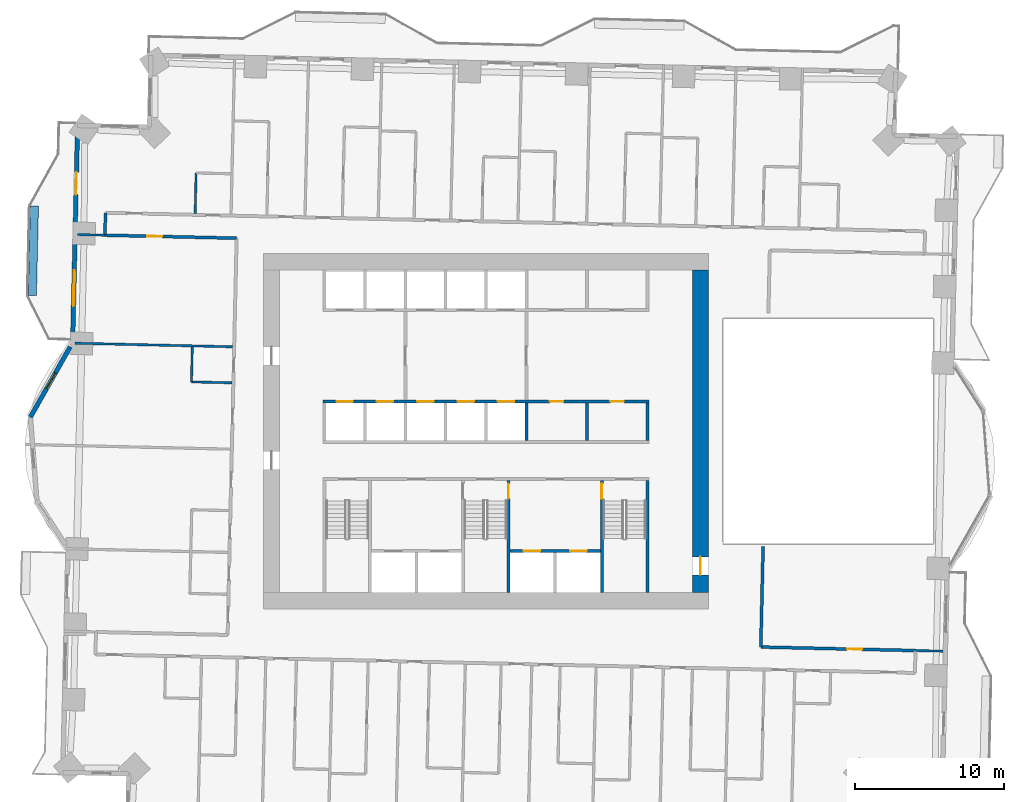
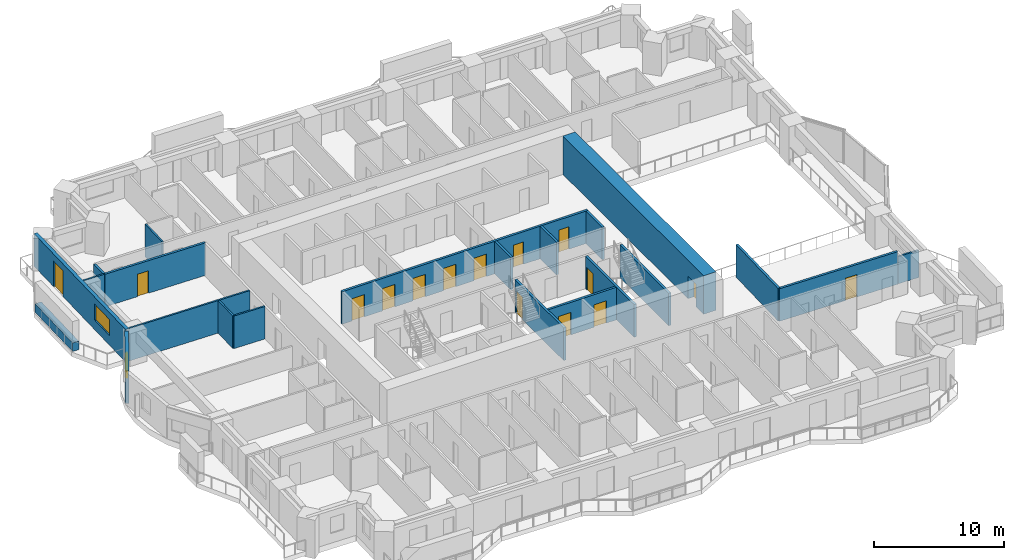
# One storey, part 11 of 20: 22 walls, 15 doors, 2 windows, 17 openings.
"""IFC4 building model written with IfcOpenShell, lengths in metres."""

from ifc_helpers import new_model, si_unit, direction, frame, frame_2d, origin, place, context, subcontext, project, spatial, rectangle, extrude, material, layer, layer_set, type_object, element, fill, save


model = new_model("IFC4")

# Units and contexts
model_context = context("Model", 3, precision=1e-05, world=origin(), true_north=direction((0.0, 1.0)))
body_context = subcontext(model_context, "Body", "Model", "MODEL_VIEW")
ifc_project = project(units=[si_unit("LENGTHUNIT", "METRE"), si_unit("AREAUNIT", "SQUARE_METRE"), si_unit("VOLUMEUNIT", "CUBIC_METRE"), si_unit("PLANEANGLEUNIT", "RADIAN"), si_unit("MASSUNIT", "GRAM", prefix="KILO")], contexts=[model_context])

# Site, building, storey
site_placement = place(None, origin())
site = spatial("IfcSite", under=ifc_project, at=site_placement, CompositionType="ELEMENT")
building_placement = place(site_placement, origin())
building = spatial("IfcBuilding", under=site, at=building_placement, Name="Mangrove Gate Tower", CompositionType="ELEMENT")
storey_placement = place(building_placement, frame((0.0, 0.0, 60.300048828125)))
storey = spatial("IfcBuildingStorey", under=building, at=storey_placement, Name="L14", CompositionType="ELEMENT", Elevation=60.300048828125)

# Walls
ifc_material_1 = material(Name="Concrete C32/40", Category="concrete")
ifc_layer_1 = layer(ifc_material_1, 0.199951171875)
ifc_layer_set_1 = layer_set([ifc_layer_1], Name="Core room wall 200 C32/40")
wall_type_1 = type_object("IfcWallType", Name="Core room wall 200 C32/40", PredefinedType="STANDARD", material=ifc_layer_set_1)
for number, where, z_axis, x_axis, name in (
    (1, (6.75, -0.60009765625, 0.0), (0.0, 0.0, 1.0), (0.0, 1.0, 0.0), "WALL-L14-CORE-25"),
    (2, (10.800048828125, -0.60009765625, 0.0), (0.0, 0.0, 1.0), (0.0, 1.0, 0.0), "WALL-L14-CORE-26"),
):
    element("IfcWall", number, at=place(storey_placement, frame(where, z_axis=z_axis, x_axis=x_axis)), inside=storey, type_object=wall_type_1, Name=name, PredefinedType="STANDARD", context=body_context, shape_type="SweptSolid", body=[
        extrude(rectangle(XDim=2.5, YDim=0.199951171875, at=frame_2d((1.25, 0.0))), origin(), (0.0, 0.0, 1.0), 3.050048828125),
    ])

# Wall, openings, doors
ifc_material_2 = material(Name="Concrete C70/85", Category="concrete")
ifc_layer_2 = layer(ifc_material_2, 0.199951171875)
ifc_layer_set_2 = layer_set([ifc_layer_2], Name="Core shaft wall 200 C70/85")
wall_type_2 = type_object("IfcWallType", Name="Core shaft wall 200 C70/85", PredefinedType="SHEAR", material=ifc_layer_set_2)
wall_1_placement = place(storey_placement, frame((-10.89990234375, 2.0, 0.0), z_axis=(0.0, 0.0, 1.0), x_axis=(1.0, 0.0, 0.0)))
wall_1 = element("IfcWall", 3, at=wall_1_placement, inside=storey, type_object=wall_type_2, Name="WALL-L14-CORE-7", PredefinedType="SHEAR", context=body_context, shape_type="SweptSolid", body=[
    extrude(rectangle(XDim=21.7998046875, YDim=0.199951171875, at=frame_2d((10.89990234375, 0.0))), origin(), (0.0, 0.0, 1.0), 3.050048828125),
])
opening_1_placement = place(wall_1_placement, frame((0.89990234375, 0.0, 0.0)))
opening_1 = element("IfcOpeningElement", 4, at=opening_1_placement, cuts=wall_1, Name="Opening LD", PredefinedType="OPENING", context=body_context, shape_type="SweptSolid", body=[
    extrude(rectangle(XDim=1.10009765625, YDim=2.10009765625, at=frame_2d((0.550048828125, 1.050048828125))), frame((0.0, 0.10986328125, 0.0), z_axis=(0.0, -1.0, 0.0), x_axis=(1.0, 0.0, 0.0)), (0.0, 0.0, 1.0), 0.219970703125),
])
opening_2_placement = place(wall_1_placement, frame((3.60009765625, 0.0, 0.0)))
opening_2 = element("IfcOpeningElement", 5, at=opening_2_placement, cuts=wall_1, Name="Opening LD", PredefinedType="OPENING", context=body_context, shape_type="SweptSolid", body=[
    extrude(rectangle(XDim=1.10009765625, YDim=2.10009765625, at=frame_2d((0.550048828125, 1.050048828125))), frame((0.0, 0.10986328125, 0.0), z_axis=(0.0, -1.0, 0.0), x_axis=(1.0, 0.0, 0.0)), (0.0, 0.0, 1.0), 0.219970703125),
])
opening_3_placement = place(wall_1_placement, frame((6.300048828125, 0.0, 0.0)))
opening_3 = element("IfcOpeningElement", 6, at=opening_3_placement, cuts=wall_1, Name="Opening LD", PredefinedType="OPENING", context=body_context, shape_type="SweptSolid", body=[
    extrude(rectangle(XDim=1.10009765625, YDim=2.10009765625, at=frame_2d((0.550048828125, 1.050048828125))), frame((0.0, 0.10986328125, 0.0), z_axis=(0.0, -1.0, 0.0), x_axis=(1.0, 0.0, 0.0)), (0.0, 0.0, 1.0), 0.219970703125),
])
opening_4_placement = place(wall_1_placement, frame((9.0, 0.0, 0.0)))
opening_4 = element("IfcOpeningElement", 7, at=opening_4_placement, cuts=wall_1, Name="Opening LD", PredefinedType="OPENING", context=body_context, shape_type="SweptSolid", body=[
    extrude(rectangle(XDim=1.10009765625, YDim=2.10009765625, at=frame_2d((0.550048828125, 1.050048828125))), frame((0.0, 0.10986328125, 0.0), z_axis=(0.0, -1.0, 0.0), x_axis=(1.0, 0.0, 0.0)), (0.0, 0.0, 1.0), 0.219970703125),
])
opening_5_placement = place(wall_1_placement, frame((11.699951171875, 0.0, 0.0)))
opening_5 = element("IfcOpeningElement", 8, at=opening_5_placement, cuts=wall_1, Name="Opening LD", PredefinedType="OPENING", context=body_context, shape_type="SweptSolid", body=[
    extrude(rectangle(XDim=1.10009765625, YDim=2.10009765625, at=frame_2d((0.550048828125, 1.050048828125))), frame((0.0, 0.10986328125, 0.0), z_axis=(0.0, -1.0, 0.0), x_axis=(1.0, 0.0, 0.0)), (0.0, 0.0, 1.0), 0.219970703125),
])
opening_6_placement = place(wall_1_placement, frame((15.175048828125, 0.0, 0.0)))
opening_6 = element("IfcOpeningElement", 9, at=opening_6_placement, cuts=wall_1, Name="Opening KD", PredefinedType="OPENING", context=body_context, shape_type="SweptSolid", body=[
    extrude(rectangle(XDim=0.89990234375, YDim=2.10009765625, at=frame_2d((0.449951171875, 1.050048828125))), frame((0.0, 0.10986328125, 0.0), z_axis=(0.0, -1.0, 0.0), x_axis=(1.0, 0.0, 0.0)), (0.0, 0.0, 1.0), 0.219970703125),
])
opening_7_placement = place(wall_1_placement, frame((19.22509765625, 0.0, 0.0)))
opening_7 = element("IfcOpeningElement", 10, at=opening_7_placement, cuts=wall_1, Name="Opening KD", PredefinedType="OPENING", context=body_context, shape_type="SweptSolid", body=[
    extrude(rectangle(XDim=0.89990234375, YDim=2.10009765625, at=frame_2d((0.449951171875, 1.050048828125))), frame((0.0, 0.10986328125, 0.0), z_axis=(0.0, -1.0, 0.0), x_axis=(1.0, 0.0, 0.0)), (0.0, 0.0, 1.0), 0.219970703125),
])
ifc_material_3 = material(Name="Fire-rated steel door set", Category="steel")
door_type_1 = type_object("IfcDoorType", Name="Core room door FD30S 900x2100", OperationType="SINGLE_SWING_RIGHT", PredefinedType="DOOR", material=ifc_material_3)
door_1_placement = place(opening_6_placement, origin())
door_1 = element("IfcDoor", 11, at=door_1_placement, inside=storey, type_object=door_type_1, Name="Core room door Cleaner's store", OperationType="SINGLE_SWING_RIGHT", OverallHeight=2.10009765625, OverallWidth=0.89990234375, PredefinedType="DOOR", context=body_context, shape_type="SweptSolid", body=[
    extrude(rectangle(XDim=0.89990234375, YDim=2.10009765625, at=frame_2d((0.449951171875, 1.050048828125))), frame((0.0, 0.02490234375, 0.0), z_axis=(0.0, -1.0, 0.0), x_axis=(1.0, 0.0, 0.0)), (0.0, 0.0, 1.0), 0.050048828125),
])
fill(opening_6, door_1)
door_2_placement = place(opening_7_placement, origin())
door_2 = element("IfcDoor", 12, at=door_2_placement, inside=storey, type_object=door_type_1, Name="Core room door Refuse store", OperationType="SINGLE_SWING_RIGHT", OverallHeight=2.10009765625, OverallWidth=0.89990234375, PredefinedType="DOOR", context=body_context, shape_type="SweptSolid", body=[
    extrude(rectangle(XDim=0.89990234375, YDim=2.10009765625, at=frame_2d((0.449951171875, 1.050048828125))), frame((0.0, 0.02490234375, 0.0), z_axis=(0.0, -1.0, 0.0), x_axis=(1.0, 0.0, 0.0)), (0.0, 0.0, 1.0), 0.050048828125),
])
fill(opening_7, door_2)
ifc_material_4 = material(Name="Stainless steel 316", Category="steel")
door_type_2 = type_object("IfcDoorType", Name="Lift landing door 1100x2100", OperationType="SLIDING_TO_LEFT", PredefinedType="DOOR", material=ifc_material_4)
door_3_placement = place(opening_1_placement, origin())
door_3 = element("IfcDoor", 13, at=door_3_placement, inside=storey, type_object=door_type_2, Name="Landing door LD P01", OperationType="SLIDING_TO_LEFT", OverallHeight=2.10009765625, OverallWidth=1.10009765625, PredefinedType="DOOR", context=body_context, shape_type="SweptSolid", body=[
    extrude(rectangle(XDim=1.10009765625, YDim=2.10009765625, at=frame_2d((0.550048828125, 1.050048828125))), frame((0.0, 0.02490234375, 0.0), z_axis=(0.0, -1.0, 0.0), x_axis=(1.0, 0.0, 0.0)), (0.0, 0.0, 1.0), 0.050048828125),
])
fill(opening_1, door_3)
door_4_placement = place(opening_2_placement, origin())
door_4 = element("IfcDoor", 14, at=door_4_placement, inside=storey, type_object=door_type_2, Name="Landing door LD P02", OperationType="SLIDING_TO_LEFT", OverallHeight=2.10009765625, OverallWidth=1.10009765625, PredefinedType="DOOR", context=body_context, shape_type="SweptSolid", body=[
    extrude(rectangle(XDim=1.10009765625, YDim=2.10009765625, at=frame_2d((0.550048828125, 1.050048828125))), frame((0.0, 0.02490234375, 0.0), z_axis=(0.0, -1.0, 0.0), x_axis=(1.0, 0.0, 0.0)), (0.0, 0.0, 1.0), 0.050048828125),
])
fill(opening_2, door_4)
door_5_placement = place(opening_3_placement, origin())
door_5 = element("IfcDoor", 15, at=door_5_placement, inside=storey, type_object=door_type_2, Name="Landing door LD P03", OperationType="SLIDING_TO_LEFT", OverallHeight=2.10009765625, OverallWidth=1.10009765625, PredefinedType="DOOR", context=body_context, shape_type="SweptSolid", body=[
    extrude(rectangle(XDim=1.10009765625, YDim=2.10009765625, at=frame_2d((0.550048828125, 1.050048828125))), frame((0.0, 0.02490234375, 0.0), z_axis=(0.0, -1.0, 0.0), x_axis=(1.0, 0.0, 0.0)), (0.0, 0.0, 1.0), 0.050048828125),
])
fill(opening_3, door_5)
door_6_placement = place(opening_4_placement, origin())
door_6 = element("IfcDoor", 16, at=door_6_placement, inside=storey, type_object=door_type_2, Name="Landing door LD P04", OperationType="SLIDING_TO_LEFT", OverallHeight=2.10009765625, OverallWidth=1.10009765625, PredefinedType="DOOR", context=body_context, shape_type="SweptSolid", body=[
    extrude(rectangle(XDim=1.10009765625, YDim=2.10009765625, at=frame_2d((0.550048828125, 1.050048828125))), frame((0.0, 0.02490234375, 0.0), z_axis=(0.0, -1.0, 0.0), x_axis=(1.0, 0.0, 0.0)), (0.0, 0.0, 1.0), 0.050048828125),
])
fill(opening_4, door_6)
door_7_placement = place(opening_5_placement, origin())
door_7 = element("IfcDoor", 17, at=door_7_placement, inside=storey, type_object=door_type_2, Name="Landing door LD P05", OperationType="SLIDING_TO_LEFT", OverallHeight=2.10009765625, OverallWidth=1.10009765625, PredefinedType="DOOR", context=body_context, shape_type="SweptSolid", body=[
    extrude(rectangle(XDim=1.10009765625, YDim=2.10009765625, at=frame_2d((0.550048828125, 1.050048828125))), frame((0.0, 0.02490234375, 0.0), z_axis=(0.0, -1.0, 0.0), x_axis=(1.0, 0.0, 0.0)), (0.0, 0.0, 1.0), 0.050048828125),
])
fill(opening_5, door_7)

wall_2_placement = place(storey_placement, frame((1.60009765625, -8.0, 0.0), z_axis=(0.0, 0.0, 1.0), x_axis=(1.0, 0.0, 0.0)))
wall_2 = element("IfcWall", 18, at=wall_2_placement, inside=storey, type_object=wall_type_2, Name="WALL-L14-CORE-17", PredefinedType="SHEAR", context=body_context, shape_type="SweptSolid", body=[
    extrude(rectangle(XDim=6.0498046875, YDim=0.199951171875, at=frame_2d((3.02490234375, 0.0))), origin(), (0.0, 0.0, 1.0), 3.050048828125),
])
opening_8_placement = place(wall_2_placement, frame((0.91259765625, 0.0, 0.0)))
opening_8 = element("IfcOpeningElement", 19, at=opening_8_placement, cuts=wall_2, Name="Opening LD", PredefinedType="OPENING", context=body_context, shape_type="SweptSolid", body=[
    extrude(rectangle(XDim=1.10009765625, YDim=2.10009765625, at=frame_2d((0.550048828125, 1.050048828125))), frame((0.0, 0.10986328125, 0.0), z_axis=(0.0, -1.0, 0.0), x_axis=(1.0, 0.0, 0.0)), (0.0, 0.0, 1.0), 0.219970703125),
])
opening_9_placement = place(wall_2_placement, frame((4.03759765625, 0.0, 0.0)))
opening_9 = element("IfcOpeningElement", 20, at=opening_9_placement, cuts=wall_2, Name="Opening LD", PredefinedType="OPENING", context=body_context, shape_type="SweptSolid", body=[
    extrude(rectangle(XDim=1.10009765625, YDim=2.10009765625, at=frame_2d((0.550048828125, 1.050048828125))), frame((0.0, 0.10986328125, 0.0), z_axis=(0.0, -1.0, 0.0), x_axis=(1.0, 0.0, 0.0)), (0.0, 0.0, 1.0), 0.219970703125),
])
door_8_placement = place(opening_8_placement, origin())
door_8 = element("IfcDoor", 21, at=door_8_placement, inside=storey, type_object=door_type_2, Name="Landing door LD FFL1", OperationType="SLIDING_TO_LEFT", OverallHeight=2.10009765625, OverallWidth=1.10009765625, PredefinedType="DOOR", context=body_context, shape_type="SweptSolid", body=[
    extrude(rectangle(XDim=1.10009765625, YDim=2.10009765625, at=frame_2d((0.550048828125, 1.050048828125))), frame((0.0, 0.02490234375, 0.0), z_axis=(0.0, -1.0, 0.0), x_axis=(1.0, 0.0, 0.0)), (0.0, 0.0, 1.0), 0.050048828125),
])
fill(opening_8, door_8)
door_9_placement = place(opening_9_placement, origin())
door_9 = element("IfcDoor", 22, at=door_9_placement, inside=storey, type_object=door_type_2, Name="Landing door LD FFL2", OperationType="SLIDING_TO_LEFT", OverallHeight=2.10009765625, OverallWidth=1.10009765625, PredefinedType="DOOR", context=body_context, shape_type="SweptSolid", body=[
    extrude(rectangle(XDim=1.10009765625, YDim=2.10009765625, at=frame_2d((0.550048828125, 1.050048828125))), frame((0.0, 0.02490234375, 0.0), z_axis=(0.0, -1.0, 0.0), x_axis=(1.0, 0.0, 0.0)), (0.0, 0.0, 1.0), 0.050048828125),
])
fill(opening_9, door_9)

# Wall
wall_3_placement = place(storey_placement, frame((2.699951171875, -0.60009765625, 0.0), z_axis=(0.0, 0.0, 1.0), x_axis=(0.0, 1.0, 0.0)))
element("IfcWall", 23, at=wall_3_placement, inside=storey, type_object=wall_type_2, Name="WALL-L14-CORE-24", PredefinedType="SHEAR", context=body_context, shape_type="SweptSolid", body=[
    extrude(rectangle(XDim=2.5, YDim=0.199951171875, at=frame_2d((1.25, 0.0))), origin(), (0.0, 0.0, 1.0), 3.050048828125),
])

# Wall, opening, door
ifc_material_5 = material(Name="Concrete C70/85", Category="concrete")
ifc_layer_3 = layer(ifc_material_5, 0.199951171875)
ifc_layer_set_3 = layer_set([ifc_layer_3], Name="Core stair wall 200 C70/85")
wall_type_3 = type_object("IfcWallType", Name="Core stair wall 200 C70/85", PredefinedType="SHEAR", material=ifc_layer_set_3)
wall_4_placement = place(storey_placement, frame((1.5, -10.800048828125, 0.0), z_axis=(0.0, 0.0, 1.0), x_axis=(0.0, 1.0, 0.0)))
wall_4 = element("IfcWall", 24, at=wall_4_placement, inside=storey, type_object=wall_type_3, Name="WALL-L14-CORE-12", PredefinedType="SHEAR", context=body_context, shape_type="SweptSolid", body=[
    extrude(rectangle(XDim=7.5, YDim=0.199951171875, at=frame_2d((3.75, 0.0))), origin(), (0.0, 0.0, 1.0), 3.050048828125),
])
opening_10_placement = place(wall_4_placement, frame((6.300048828125, 0.0, 0.0)))
opening_10 = element("IfcOpeningElement", 25, at=opening_10_placement, cuts=wall_4, Name="Opening STD10", PredefinedType="OPENING", context=body_context, shape_type="SweptSolid", body=[
    extrude(rectangle(XDim=1.0, YDim=2.10009765625, at=frame_2d((0.5, 1.050048828125))), frame((0.0, 0.10986328125, 0.0), z_axis=(0.0, -1.0, 0.0), x_axis=(1.0, 0.0, 0.0)), (0.0, 0.0, 1.0), 0.219970703125),
])
ifc_material_6 = material(Name="Fire-rated steel door set", Category="steel")
door_type_3 = type_object("IfcDoorType", Name="Stair door FD60 1000x2100", OperationType="SINGLE_SWING_RIGHT", PredefinedType="DOOR", material=ifc_material_6)
door_10_placement = place(opening_10_placement, origin())
door_10 = element("IfcDoor", 26, at=door_10_placement, inside=storey, type_object=door_type_3, Name="Stair door Stair 2 from fire-fighting lobby", OperationType="SINGLE_SWING_RIGHT", OverallHeight=2.10009765625, OverallWidth=1.0, PredefinedType="DOOR", context=body_context, shape_type="SweptSolid", body=[
    extrude(rectangle(XDim=1.0, YDim=2.10009765625, at=frame_2d((0.5, 1.050048828125))), frame((0.0, 0.02490234375, 0.0), z_axis=(0.0, -1.0, 0.0), x_axis=(1.0, 0.0, 0.0)), (0.0, 0.0, 1.0), 0.050048828125),
])
fill(opening_10, door_10)

wall_5_placement = place(storey_placement, frame((7.75, -10.800048828125, 0.0), z_axis=(0.0, 0.0, 1.0), x_axis=(0.0, 1.0, 0.0)))
wall_5 = element("IfcWall", 27, at=wall_5_placement, inside=storey, type_object=wall_type_3, Name="WALL-L14-CORE-13", PredefinedType="SHEAR", context=body_context, shape_type="SweptSolid", body=[
    extrude(rectangle(XDim=7.5, YDim=0.199951171875, at=frame_2d((3.75, 0.0))), origin(), (0.0, 0.0, 1.0), 3.050048828125),
])
opening_11_placement = place(wall_5_placement, frame((6.300048828125, 0.0, 0.0)))
opening_11 = element("IfcOpeningElement", 28, at=opening_11_placement, cuts=wall_5, Name="Opening STD10", PredefinedType="OPENING", context=body_context, shape_type="SweptSolid", body=[
    extrude(rectangle(XDim=1.0, YDim=2.10009765625, at=frame_2d((0.5, 1.050048828125))), frame((0.0, 0.10986328125, 0.0), z_axis=(0.0, -1.0, 0.0), x_axis=(1.0, 0.0, 0.0)), (0.0, 0.0, 1.0), 0.219970703125),
])
door_11_placement = place(opening_11_placement, origin())
door_11 = element("IfcDoor", 29, at=door_11_placement, inside=storey, type_object=door_type_3, Name="Stair door Stair 3 from fire-fighting lobby", OperationType="SINGLE_SWING_RIGHT", OverallHeight=2.10009765625, OverallWidth=1.0, PredefinedType="DOOR", context=body_context, shape_type="SweptSolid", body=[
    extrude(rectangle(XDim=1.0, YDim=2.10009765625, at=frame_2d((0.5, 1.050048828125))), frame((0.0, 0.02490234375, 0.0), z_axis=(0.0, -1.0, 0.0), x_axis=(1.0, 0.0, 0.0)), (0.0, 0.0, 1.0), 0.050048828125),
])
fill(opening_11, door_11)

# Wall
wall_6_placement = place(storey_placement, frame((10.800048828125, -10.800048828125, 0.0), z_axis=(0.0, 0.0, 1.0), x_axis=(0.0, 1.0, 0.0)))
element("IfcWall", 30, at=wall_6_placement, inside=storey, type_object=wall_type_3, Name="WALL-L14-CORE-14", PredefinedType="SHEAR", context=body_context, shape_type="SweptSolid", body=[
    extrude(rectangle(XDim=7.5, YDim=0.199951171875, at=frame_2d((3.75, 0.0))), origin(), (0.0, 0.0, 1.0), 3.050048828125),
])

# Wall, opening, door
ifc_material_7 = material(Name="Concrete C70/85", Category="concrete")
ifc_layer_4 = layer(ifc_material_7, 1.10009765625)
ifc_layer_set_4 = layer_set([ifc_layer_4], Name="Core wall 1100 C70/85")
wall_type_4 = type_object("IfcWallType", Name="Core wall 1100 C70/85", PredefinedType="SHEAR", material=ifc_layer_set_4)
wall_7_placement = place(storey_placement, frame((14.35009765625, -10.800048828125, 0.0), z_axis=(0.0, 0.0, 1.0), x_axis=(0.0, 1.0, 0.0)))
wall_7 = element("IfcWall", 31, at=wall_7_placement, inside=storey, type_object=wall_type_4, Name="WALL-L14-CORE-4", PredefinedType="SHEAR", context=body_context, shape_type="SweptSolid", body=[
    extrude(rectangle(XDim=21.60009765625, YDim=1.10009765625, at=frame_2d((10.800048828125, 0.0))), origin(), (0.0, 0.0, 1.0), 3.599853515625),
])
opening_12_placement = place(wall_7_placement, frame((1.199951171875, 0.0, 0.0)))
opening_12 = element("IfcOpeningElement", 32, at=opening_12_placement, cuts=wall_7, Name="Opening CD", PredefinedType="OPENING", context=body_context, shape_type="SweptSolid", body=[
    extrude(rectangle(XDim=1.199951171875, YDim=2.10009765625, at=frame_2d((0.60009765625, 1.050048828125))), frame((0.0, 0.56005859375, 0.0), z_axis=(0.0, -1.0, 0.0), x_axis=(1.0, 0.0, 0.0)), (0.0, 0.0, 1.0), 1.1201171875),
])
ifc_material_8 = material(Name="Fire-rated steel door set", Category="steel")
door_type_4 = type_object("IfcDoorType", Name="Core ring door FD60 1200x2100", OperationType="DOUBLE_DOOR_SINGLE_SWING", PredefinedType="DOOR", material=ifc_material_8)
door_12_placement = place(opening_12_placement, origin())
door_12 = element("IfcDoor", 33, at=door_12_placement, inside=storey, type_object=door_type_4, Name="Core ring door E1", OperationType="DOUBLE_DOOR_SINGLE_SWING", OverallHeight=2.10009765625, OverallWidth=1.199951171875, PredefinedType="DOOR", context=body_context, shape_type="SweptSolid", body=[
    extrude(rectangle(XDim=1.199951171875, YDim=2.10009765625, at=frame_2d((0.60009765625, 1.050048828125))), frame((0.0, 0.02490234375, 0.0), z_axis=(0.0, -1.0, 0.0), x_axis=(1.0, 0.0, 0.0)), (0.0, 0.0, 1.0), 0.050048828125),
])
fill(opening_12, door_12)

ifc_material_9 = material(Name="Gypsum board on steel stud, EI 60", Category="steel")
ifc_layer_5 = layer(ifc_material_9, 0.199951171875)
ifc_layer_set_5 = layer_set([ifc_layer_5], Name="Corridor wall EI 60")
wall_type_5 = type_object("IfcWallType", Name="Corridor wall EI 60", PredefinedType="PARTITIONING", material=ifc_layer_set_5)
wall_8_placement = place(storey_placement, frame((18.382080078125, -14.43408203125, 0.0), z_axis=(0.0, 0.0, 1.0), x_axis=(0.999742529177, -0.022690865001, 0.0)))
wall_8 = element("IfcWall", 34, at=wall_8_placement, inside=storey, type_object=wall_type_5, Name="WALL-L14-039", PredefinedType="PARTITIONING", context=body_context, shape_type="SweptSolid", body=[
    extrude(rectangle(XDim=10.3505859375, YDim=0.199951171875, at=frame_2d((5.17529296875, 0.0))), origin(), (0.0, 0.0, 1.0), 3.050048828125),
])
opening_13_placement = place(wall_8_placement, frame((5.777099609375, 0.0, 0.0)))
opening_13 = element("IfcOpeningElement", 35, at=opening_13_placement, cuts=wall_8, Name="Opening AD", PredefinedType="OPENING", context=body_context, shape_type="SweptSolid", body=[
    extrude(rectangle(XDim=1.0, YDim=2.10009765625, at=frame_2d((0.5, 1.050048828125))), frame((0.0, 0.10986328125, 0.0), z_axis=(0.0, -1.0, 0.0), x_axis=(1.0, 0.0, 0.0)), (0.0, 0.0, 1.0), 0.219970703125),
])
ifc_material_10 = material(Name="Timber door leaf", Category="wood")
door_type_5 = type_object("IfcDoorType", Name="Amenity door 1000", OperationType="SINGLE_SWING_LEFT", PredefinedType="DOOR", material=ifc_material_10)
door_13_placement = place(opening_13_placement, origin())
door_13 = element("IfcDoor", 36, at=door_13_placement, inside=storey, type_object=door_type_5, Name="DOOR-L14-LNG-c3b", OperationType="SINGLE_SWING_LEFT", OverallHeight=2.10009765625, OverallWidth=1.0, PredefinedType="DOOR", context=body_context, shape_type="SweptSolid", body=[
    extrude(rectangle(XDim=1.0, YDim=2.10009765625, at=frame_2d((0.5, 1.050048828125))), frame((0.0, 0.02490234375, 0.0), z_axis=(0.0, -1.0, 0.0), x_axis=(1.0, 0.0, 0.0)), (0.0, 0.0, 1.0), 0.050048828125),
])
fill(opening_13, door_13)

# Walls
wall_9_placement = place(storey_placement, frame((18.384033203125, -14.43408203125, 0.0), z_axis=(0.0, 0.0, 1.0), x_axis=(0.022773383809, 0.999740652864, 0.0)))
element("IfcWall", 37, at=wall_9_placement, inside=storey, type_object=wall_type_5, Name="WALL-L14-040", PredefinedType="PARTITIONING", context=body_context, shape_type="SweptSolid", body=[
    extrude(rectangle(XDim=6.7216796875, YDim=0.199951171875, at=frame_2d((3.36083984375, 0.0))), origin(), (0.0, 0.0, 1.0), 3.050048828125),
])
wall_10_placement = place(storey_placement, frame((-25.491943359375, 13.117919921875, 0.0), z_axis=(0.0, 0.0, 1.0), x_axis=(0.022617910375, 0.999744182344, 0.0)))
element("IfcWall", 38, at=wall_10_placement, inside=storey, type_object=wall_type_5, Name="WALL-L14-052", PredefinedType="PARTITIONING", context=body_context, shape_type="SweptSolid", body=[
    extrude(rectangle(XDim=1.50048828125, YDim=0.199951171875, at=frame_2d((0.750244140625, 0.0))), origin(), (0.0, 0.0, 1.0), 3.050048828125),
])

# Wall, opening, door
wall_11_placement = place(storey_placement, frame((-25.489990234375, 13.117919921875, 0.0), z_axis=(0.0, 0.0, 1.0), x_axis=(0.999742607231, -0.02268742575, 0.0)))
wall_11 = element("IfcWall", 39, at=wall_11_placement, inside=storey, type_object=wall_type_5, Name="WALL-L14-053", PredefinedType="PARTITIONING", context=body_context, shape_type="SweptSolid", body=[
    extrude(rectangle(XDim=8.813232421875, YDim=0.199951171875, at=frame_2d((4.40673828125, 0.0))), origin(), (0.0, 0.0, 1.0), 3.050048828125),
])
opening_14_placement = place(wall_11_placement, frame((2.83203125, 0.0, 0.0)))
opening_14 = element("IfcOpeningElement", 40, at=opening_14_placement, cuts=wall_11, Name="Opening AD", PredefinedType="OPENING", context=body_context, shape_type="SweptSolid", body=[
    extrude(rectangle(XDim=1.0, YDim=2.10009765625, at=frame_2d((0.5, 1.050048828125))), frame((0.0, 0.10986328125, 0.0), z_axis=(0.0, -1.0, 0.0), x_axis=(1.0, 0.0, 0.0)), (0.0, 0.0, 1.0), 0.219970703125),
])
door_14_placement = place(opening_14_placement, origin())
door_14 = element("IfcDoor", 41, at=door_14_placement, inside=storey, type_object=door_type_5, Name="DOOR-L14-LNG-c5a", OperationType="SINGLE_SWING_LEFT", OverallHeight=2.10009765625, OverallWidth=1.0, PredefinedType="DOOR", context=body_context, shape_type="SweptSolid", body=[
    extrude(rectangle(XDim=1.0, YDim=2.10009765625, at=frame_2d((0.5, 1.050048828125))), frame((0.0, 0.02490234375, 0.0), z_axis=(0.0, -1.0, 0.0), x_axis=(1.0, 0.0, 0.0)), (0.0, 0.0, 1.0), 0.050048828125),
])
fill(opening_14, door_14)

# Wall, openings, door, window
ifc_material_11 = material(Name="Limestone", Category="masonry")
ifc_layer_6 = layer(ifc_material_11, 0.0400390625, Name="Limestone cladding")
ifc_material_12 = material(Name="Ventilated air gap")
ifc_layer_7 = layer(ifc_material_12, 0.0400390625, Name="Ventilated cavity")
ifc_material_13 = material(Name="Mineral wool insulation")
ifc_layer_8 = layer(ifc_material_13, 0.06005859375, Name="Insulation")
ifc_material_14 = material(Name="Breather membrane")
ifc_layer_9 = layer(ifc_material_14, 0.001953125, Name="Breather membrane")
ifc_material_15 = material(Name="Concrete C20/25 blockwork", Category="masonry")
ifc_layer_10 = layer(ifc_material_15, 0.14990234375, Name="Blockwork backing wall")
ifc_material_16 = material(Name="Gypsum plaster")
ifc_layer_11 = layer(ifc_material_16, 0.008056640625, Name="Internal plaster")
ifc_layer_set_6 = layer_set([ifc_layer_6, ifc_layer_7, ifc_layer_8, ifc_layer_9, ifc_layer_10, ifc_layer_11], Name="External wall 300 limestone cladding")
wall_type_6 = type_object("IfcWallType", Name="External wall 300 limestone cladding", PredefinedType="SOLIDWALL", material=ifc_layer_set_6)
wall_12_placement = place(storey_placement, frame((-27.323974609375, 20.4619140625, 0.0), z_axis=(0.0, 0.0, 1.0), x_axis=(-0.022695628174, -0.999742421057, 0.0)))
wall_12 = element("IfcWall", 42, at=wall_12_placement, inside=storey, type_object=wall_type_6, Name="WALL-L14-W8", PredefinedType="SOLIDWALL", context=body_context, shape_type="SweptSolid", body=[
    extrude(rectangle(XDim=14.629638671875, YDim=0.300048828125, at=frame_2d((7.31494140625, 0.0))), origin(), (0.0, 0.0, 1.0), 3.050048828125),
])
opening_15_placement = place(wall_12_placement, frame((3.1298828125, 0.0, 0.0)))
opening_15 = element("IfcOpeningElement", 43, at=opening_15_placement, cuts=wall_12, Name="Opening BD1", PredefinedType="OPENING", context=body_context, shape_type="SweptSolid", body=[
    extrude(rectangle(XDim=1.5, YDim=2.39990234375, at=frame_2d((0.75, 1.199951171875))), frame((0.0, 0.159912109375, 0.0), z_axis=(0.0, -1.0, 0.0), x_axis=(1.0, 0.0, 0.0)), (0.0, 0.0, 1.0), 0.320068359375),
])
opening_16_placement = place(wall_12_placement, frame((9.694091796875, 0.0, 0.89990234375)))
opening_16 = element("IfcOpeningElement", 44, at=opening_16_placement, cuts=wall_12, Name="Opening W2", PredefinedType="OPENING", context=body_context, shape_type="SweptSolid", body=[
    extrude(rectangle(XDim=2.39990234375, YDim=1.5, at=frame_2d((1.199951171875, 0.75))), frame((0.0, 0.159912109375, 0.0), z_axis=(0.0, -1.0, 0.0), x_axis=(1.0, 0.0, 0.0)), (0.0, 0.0, 1.0), 0.320068359375),
])
ifc_material_17 = material(Name="Aluminium frame with laminated clear glass", Category="aluminium")
door_type_6 = type_object("IfcDoorType", Name="Balcony sliding door 1500x2400", OperationType="SLIDING_TO_LEFT", PredefinedType="DOOR", material=ifc_material_17)
door_15_placement = place(opening_15_placement, origin())
door_15 = element("IfcDoor", 45, at=door_15_placement, inside=storey, type_object=door_type_6, Name="DOOR-L14-W8-1", OperationType="SLIDING_TO_LEFT", OverallHeight=2.39990234375, OverallWidth=1.5, PredefinedType="DOOR", context=body_context, shape_type="SweptSolid", body=[
    extrude(rectangle(XDim=1.5, YDim=2.39990234375, at=frame_2d((0.75, 1.199951171875))), frame((0.0, 0.02490234375, 0.0), z_axis=(0.0, -1.0, 0.0), x_axis=(1.0, 0.0, 0.0)), (0.0, 0.0, 1.0), 0.050048828125),
])
fill(opening_15, door_15)
ifc_material_18 = material(Name="Aluminium frame with double-glazed low-e glass", Category="aluminium")
window_type_1 = type_object("IfcWindowType", Name="Corner room window 2400x1500", PartitioningType="DOUBLE_PANEL_VERTICAL", PredefinedType="WINDOW", material=ifc_material_18)
window_1_placement = place(opening_16_placement, origin())
window_1 = element("IfcWindow", 46, at=window_1_placement, inside=storey, type_object=window_type_1, Name="WIN-L14-W8-2", OverallHeight=1.5, OverallWidth=2.39990234375, PartitioningType="DOUBLE_PANEL_VERTICAL", PredefinedType="WINDOW", context=body_context, shape_type="SweptSolid", body=[
    extrude(rectangle(XDim=2.39990234375, YDim=1.5, at=frame_2d((1.199951171875, 0.75))), frame((0.0, 0.030029296875, 0.0), z_axis=(0.0, -1.0, 0.0), x_axis=(1.0, 0.0, 0.0)), (0.0, 0.0, 1.0), 0.06005859375),
])
fill(opening_16, window_1)

# Wall, opening, window
wall_13_placement = place(storey_placement, frame((-27.820068359375, 5.64990234375, 0.0), z_axis=(0.0, 0.0, 1.0), x_axis=(-0.492554919955, -0.870281363025, 0.0)))
wall_13 = element("IfcWall", 47, at=wall_13_placement, inside=storey, type_object=wall_type_6, Name="WALL-L14-W9f1", PredefinedType="SOLIDWALL", context=body_context, shape_type="SweptSolid", body=[
    extrude(rectangle(XDim=5.398193359375, YDim=0.300048828125, at=frame_2d((2.69921875, 0.0))), origin(), (0.0, 0.0, 1.0), 3.050048828125),
])
opening_17_placement = place(wall_13_placement, frame((2.008056640625, 0.0, 0.89990234375)))
opening_17 = element("IfcOpeningElement", 48, at=opening_17_placement, cuts=wall_13, Name="Opening W1", PredefinedType="OPENING", context=body_context, shape_type="SweptSolid", body=[
    extrude(rectangle(XDim=1.199951171875, YDim=1.5, at=frame_2d((0.60009765625, 0.75))), frame((0.0, 0.159912109375, 0.0), z_axis=(0.0, -1.0, 0.0), x_axis=(1.0, 0.0, 0.0)), (0.0, 0.0, 1.0), 0.320068359375),
])
ifc_material_19 = material(Name="Aluminium frame with double-glazed low-e glass", Category="aluminium")
window_type_2 = type_object("IfcWindowType", Name="Side lite 1200x1500", PartitioningType="SINGLE_PANEL", PredefinedType="WINDOW", material=ifc_material_19)
window_2_placement = place(opening_17_placement, origin())
window_2 = element("IfcWindow", 49, at=window_2_placement, inside=storey, type_object=window_type_2, Name="WIN-L14-W9f1", OverallHeight=1.5, OverallWidth=1.199951171875, PartitioningType="SINGLE_PANEL", PredefinedType="WINDOW", context=body_context, shape_type="SweptSolid", body=[
    extrude(rectangle(XDim=1.199951171875, YDim=1.5, at=frame_2d((0.60009765625, 0.75))), frame((0.0, 0.030029296875, 0.0), z_axis=(0.0, -1.0, 0.0), x_axis=(1.0, 0.0, 0.0)), (0.0, 0.0, 1.0), 0.06005859375),
])
fill(opening_17, window_2)

# Walls
ifc_material_20 = material(Name="Gypsum board on steel stud, EI 60", Category="steel")
ifc_layer_12 = layer(ifc_material_20, 0.14990234375)
ifc_layer_set_7 = layer_set([ifc_layer_12], Name="Party wall 150 EI 60")
wall_type_7 = type_object("IfcWallType", Name="Party wall 150 EI 60", PredefinedType="PARTITIONING", material=ifc_layer_set_7)
wall_14_placement = place(storey_placement, frame((28.72998046875, -14.6689453125, 0.0), z_axis=(0.0, 0.0, 1.0), x_axis=(0.999742244252, -0.022703415106, 0.0)))
element("IfcWall", 50, at=wall_14_placement, inside=storey, type_object=wall_type_7, Name="WALL-L14-041", PredefinedType="PARTITIONING", context=body_context, shape_type="SweptSolid", body=[
    extrude(rectangle(XDim=1.849609375, YDim=0.14990234375, at=frame_2d((0.9248046875, 0.0))), origin(), (0.0, 0.0, 1.0), 2.550048828125),
])
wall_15_placement = place(storey_placement, frame((-19.697998046875, 3.303955078125, 0.0), z_axis=(0.0, 0.0, 1.0), x_axis=(0.999744396973, -0.02260842146, 0.0)))
element("IfcWall", 51, at=wall_15_placement, inside=storey, type_object=wall_type_7, Name="WALL-L14-047", PredefinedType="PARTITIONING", context=body_context, shape_type="SweptSolid", body=[
    extrude(rectangle(XDim=2.69970703125, YDim=0.14990234375, at=frame_2d((1.349853515625, 0.0))), origin(), (0.0, 0.0, 1.0), 3.050048828125),
])
wall_16_placement = place(storey_placement, frame((-19.702880859375, 3.31005859375, 0.0), z_axis=(0.0, 0.0, 1.0), x_axis=(0.02279059109, 0.999740260747, 0.0)))
element("IfcWall", 52, at=wall_16_placement, inside=storey, type_object=wall_type_7, Name="WALL-L14-048", PredefinedType="PARTITIONING", context=body_context, shape_type="SweptSolid", body=[
    extrude(rectangle(XDim=2.324462890625, YDim=0.14990234375, at=frame_2d((1.162109375, 0.0))), origin(), (0.0, 0.0, 1.0), 3.050048828125),
])
wall_17_placement = place(storey_placement, frame((-27.5048828125, 5.89208984375, 0.0), z_axis=(0.0, 0.0, 1.0), x_axis=(0.999743990669, -0.022626381091, 0.0)))
element("IfcWall", 53, at=wall_17_placement, inside=storey, type_object=wall_type_7, Name="WALL-L14-049", PredefinedType="PARTITIONING", context=body_context, shape_type="SweptSolid", body=[
    extrude(rectangle(XDim=10.5634765625, YDim=0.14990234375, at=frame_2d((5.28173828125, 0.0))), origin(), (0.0, 0.0, 1.0), 3.050048828125),
])
wall_18_placement = place(storey_placement, frame((-27.340087890625, 13.159912109375, 0.0), z_axis=(0.0, 0.0, 1.0), x_axis=(0.999743599624, -0.02264365277, 0.0)))
element("IfcWall", 54, at=wall_18_placement, inside=storey, type_object=wall_type_7, Name="WALL-L14-051", PredefinedType="PARTITIONING", context=body_context, shape_type="SweptSolid", body=[
    extrude(rectangle(XDim=1.8544921875, YDim=0.14990234375, at=frame_2d((0.92724609375, 0.0))), origin(), (0.0, 0.0, 1.0), 3.050048828125),
])
wall_19_placement = place(storey_placement, frame((-19.45703125, 14.58203125, 0.0), z_axis=(0.0, 0.0, 1.0), x_axis=(0.02260842146, 0.999744396973, 0.0)))
element("IfcWall", 55, at=wall_19_placement, inside=storey, type_object=wall_type_7, Name="WALL-L14-058", PredefinedType="PARTITIONING", context=body_context, shape_type="SweptSolid", body=[
    extrude(rectangle(XDim=2.69970703125, YDim=0.14990234375, at=frame_2d((1.349853515625, 0.0))), origin(), (0.0, 0.0, 1.0), 3.050048828125),
])
ifc_material_21 = material(Name="Concrete C32/40", Category="concrete")
ifc_layer_13 = layer(ifc_material_21, 0.199951171875, Name="Planter trough wall")
ifc_material_22 = material(Name="Bituminous waterproofing membrane")
ifc_layer_14 = layer(ifc_material_22, 0.0048828125, Name="Waterproofing")
ifc_material_23 = material(Name="Drainage board and gravel")
ifc_layer_15 = layer(ifc_material_23, 0.044921875, Name="Drainage layer")
ifc_material_24 = material(Name="Planting soil")
ifc_layer_16 = layer(ifc_material_24, 0.300048828125, Name="Growing medium")
ifc_layer_set_8 = layer_set([ifc_layer_13, ifc_layer_14, ifc_layer_15, ifc_layer_16], Name="Planter wall 550 C32/40")
wall_type_8 = type_object("IfcWallType", Name="Planter wall 550 C32/40", PredefinedType="USERDEFINED", material=ifc_layer_set_8)
wall_20_placement = place(storey_placement, frame((-30.347900390625, 9.077880859375, 0.0), z_axis=(0.0, 0.0, 1.0), x_axis=(0.022665943652, 0.999743094499, 0.0)))
element("IfcWall", 56, at=wall_20_placement, inside=storey, type_object=wall_type_8, Name="PLANTER L14 W0.1", ObjectType="PLANTER", PredefinedType="USERDEFINED", context=body_context, shape_type="SweptSolid", body=[
    extrude(rectangle(XDim=5.99951171875, YDim=0.550048828125, at=frame_2d((2.999755859375, 0.0))), origin(), (0.0, 0.0, 1.0), 0.800048828125),
])

save(model, "model.ifc")
